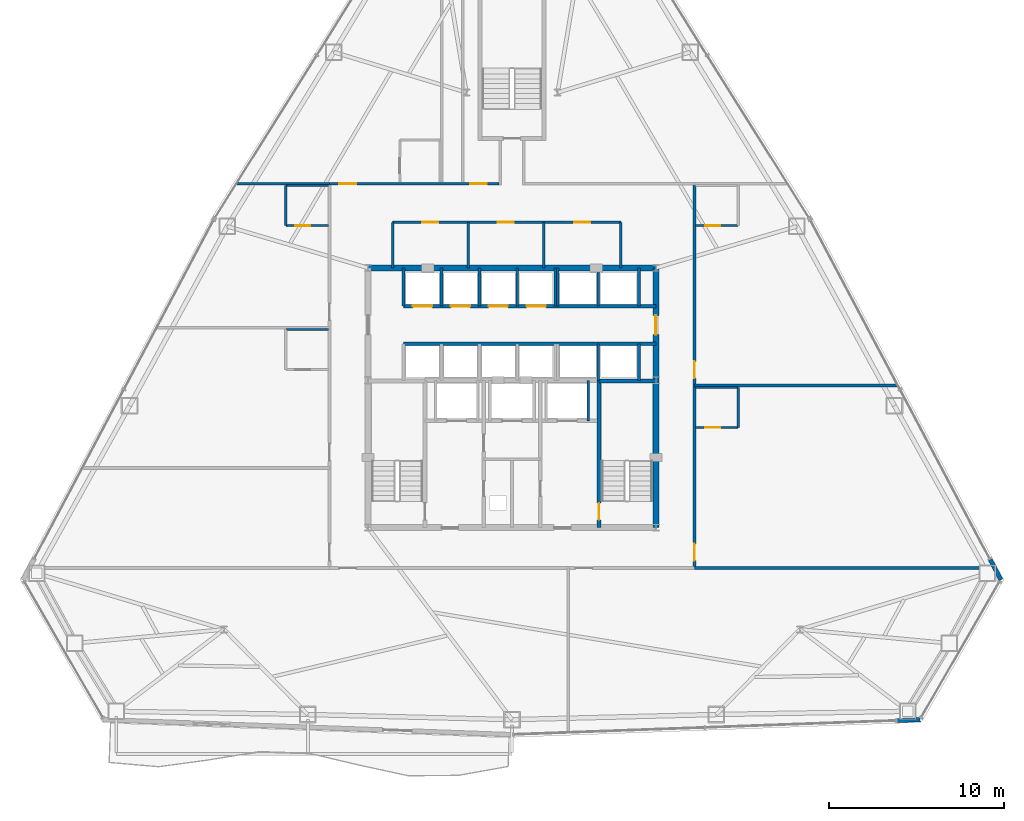
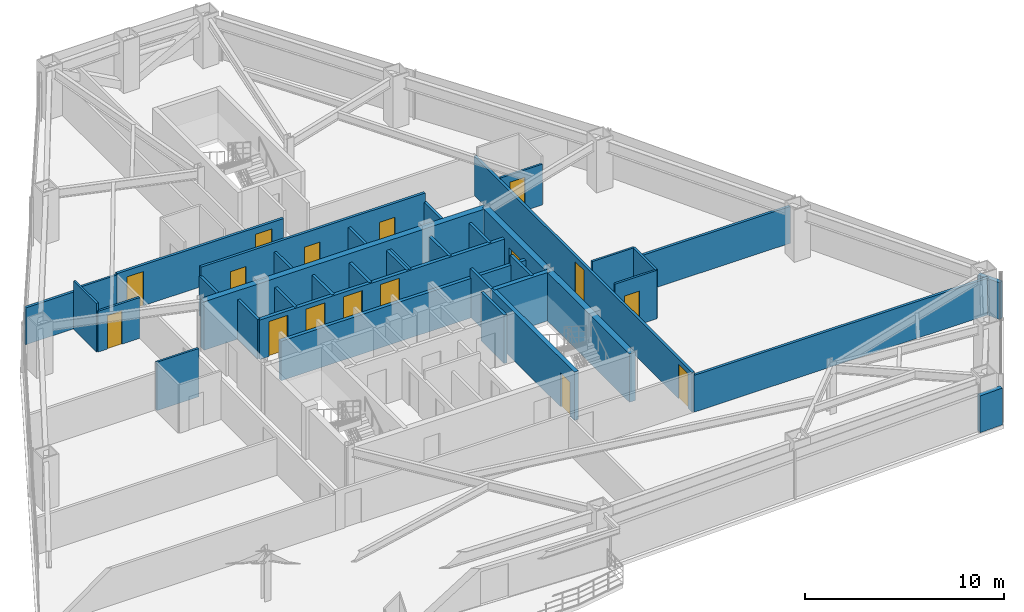
# One storey, part 10 of 13: 37 walls, 16 doors, 16 openings.
"""IFC4 building model written with IfcOpenShell, lengths in metres."""

from ifc_helpers import new_model, si_unit, direction, frame, frame_2d, origin, place, context, subcontext, project, spatial, rectangle, extrude, material, layer, layer_set, type_object, element, fill, save


model = new_model("IFC4")

# Units and contexts
model_context = context("Model", 3, precision=1e-05, world=origin(), true_north=direction((0.0, 1.0)))
body_context = subcontext(model_context, "Body", "Model", "MODEL_VIEW")
ifc_project = project(units=[si_unit("LENGTHUNIT", "METRE"), si_unit("AREAUNIT", "SQUARE_METRE"), si_unit("VOLUMEUNIT", "CUBIC_METRE"), si_unit("PLANEANGLEUNIT", "RADIAN"), si_unit("MASSUNIT", "GRAM", prefix="KILO")], contexts=[model_context])

# Site, building, storey
site_placement = place(None, origin())
site = spatial("IfcSite", under=ifc_project, at=site_placement, CompositionType="ELEMENT")
building_placement = place(site_placement, origin())
building = spatial("IfcBuilding", under=site, at=building_placement, Name="Varakhsha Concourse Tower", CompositionType="ELEMENT")
storey_placement = place(building_placement, frame((0.0, 0.0, 95.800048828125)))
storey = spatial("IfcBuildingStorey", under=building, at=storey_placement, Name="L27", CompositionType="ELEMENT", Elevation=95.800048828125)

# Wall
ifc_material_1 = material(Name="Concrete fc 65 MPa", Category="concrete")
ifc_layer_1 = layer(ifc_material_1, 0.35009765625, Name="WL-CORE-350")
ifc_layer_set_1 = layer_set([ifc_layer_1], Name="Concrete fc 65 MPa")
wall_type_1 = type_object("IfcWallType", Name="WL-CORE-350", PredefinedType="SHEAR", material=ifc_layer_set_1)
wall_1_placement = place(storey_placement, frame((31.800048828125, 31.199951171875, 0.0), z_axis=(0.0, 0.0, 1.0), x_axis=(1.0, 0.0, 0.0)))
element("IfcWall", 1, at=wall_1_placement, inside=storey, type_object=wall_type_1, Name="L27 Wall CWALL-N-L27", PredefinedType="SHEAR", context=body_context, shape_type="SweptSolid", body=[
    extrude(rectangle(XDim=16.39990234375, YDim=0.35009765625, at=frame_2d((8.199951171875, 0.0))), origin(), (0.0, 0.0, 1.0), 2.969970703125),
])

# Wall, opening, door
wall_2_placement = place(storey_placement, frame((48.199951171875, 16.39990234375, 0.0), z_axis=(0.0, 0.0, 1.0), x_axis=(0.0, 1.0, 0.0)))
wall_2 = element("IfcWall", 2, at=wall_2_placement, inside=storey, type_object=wall_type_1, Name="L27 Wall CWALL-E-L27", PredefinedType="SHEAR", context=body_context, shape_type="SweptSolid", body=[
    extrude(rectangle(XDim=14.800048828125, YDim=0.35009765625, at=frame_2d((7.39990234375, 0.0))), origin(), (0.0, 0.0, 1.0), 2.969970703125),
])
opening_1_placement = place(wall_2_placement, frame((11.0, 0.0, 0.0)))
opening_1 = element("IfcOpeningElement", 3, at=opening_1_placement, cuts=wall_2, Name="Opening DL-01", PredefinedType="OPENING", context=body_context, shape_type="SweptSolid", body=[
    extrude(rectangle(XDim=1.10009765625, YDim=2.14990234375, at=frame_2d((0.550048828125, 1.074951171875))), frame((0.0, 0.18505859375, 0.0), z_axis=(0.0, -1.0, 0.0), x_axis=(1.0, 0.0, 0.0)), (0.0, 0.0, 1.0), 0.3701171875),
])
ifc_material_2 = material(Name="Anodised Bronze Architectural Aluminium AA 6063-T6", Category="aluminium")
door_type_1 = type_object("IfcDoorType", Name="DR-LOB-1100", OperationType="NOTDEFINED", PredefinedType="DOOR", material=ifc_material_2)
door_1_placement = place(opening_1_placement, origin())
door_1 = element("IfcDoor", 4, at=door_1_placement, inside=storey, type_object=door_type_1, Name="L27 Lift Lobby East Concourse Door", OperationType="SINGLE_SWING_RIGHT", OverallHeight=2.14990234375, OverallWidth=1.10009765625, PredefinedType="DOOR", context=body_context, shape_type="SweptSolid", body=[
    extrude(rectangle(XDim=1.10009765625, YDim=2.14990234375, at=frame_2d((0.550048828125, 1.074951171875))), frame((0.0, 0.02490234375, 0.0), z_axis=(0.0, -1.0, 0.0), x_axis=(1.0, 0.0, 0.0)), (0.0, 0.0, 1.0), 0.050048828125),
])
fill(opening_1, door_1)

# Walls
ifc_material_3 = material(Name="Concrete fc 45 MPa", Category="concrete")
ifc_layer_2 = layer(ifc_material_3, 0.239990234375, Name="WL-EXT-CRN-240")
ifc_layer_set_2 = layer_set([ifc_layer_2], Name="Concrete fc 45 MPa")
wall_type_2 = type_object("IfcWallType", Name="WL-EXT-CRN-240", PredefinedType="SHEAR", material=ifc_layer_set_2)
for number, where, z_axis, x_axis, name in (
    (5, (61.948486328125, 5.40966796875, 0.0), (0.0, 0.0, 1.0), (0.999336056782, 0.03643412707, 0.0), "L27 Wind-Corner Shoulder Wall F6"),
    (6, (67.862060546875, 13.4267578125, 0.0), (0.0, 0.0, 1.0), (-0.468058524958, 0.883697469281, 0.0), "L27 Wind-Corner Shoulder Wall F8"),
):
    element("IfcWall", number, at=place(storey_placement, frame(where, z_axis=z_axis, x_axis=x_axis)), inside=storey, type_object=wall_type_2, Name=name, PredefinedType="SHEAR", context=body_context, shape_type="SweptSolid", body=[
        extrude(rectangle(XDim=1.3134765625, YDim=0.239990234375, at=frame_2d((0.65673828125, 0.0))), origin(), (0.0, 0.0, 1.0), 2.2529296875),
    ])
ifc_material_4 = material(Name="Acoustic Gypsum Board Partition Assembly", Category="gypsum")
ifc_layer_3 = layer(ifc_material_4, 0.1201171875, Name="WL-PART-120")
ifc_layer_set_3 = layer_set([ifc_layer_3], Name="Acoustic Gypsum Board Partition Assembly")
wall_type_3 = type_object("IfcWallType", Name="WL-PART-120", PredefinedType="PARTITIONING", material=ifc_layer_set_3)
wall_3_placement = place(storey_placement, frame((27.110107421875, 27.68994140625, 0.0), z_axis=(0.0, 0.0, 1.0), x_axis=(1.0, 0.0, 0.0)))
element("IfcWall", 7, at=wall_3_placement, inside=storey, type_object=wall_type_3, Name="L27 Wall ENSW-N-L27-H04", PredefinedType="PARTITIONING", context=body_context, shape_type="SweptSolid", body=[
    extrude(rectangle(XDim=2.429931640625, YDim=0.1201171875, at=frame_2d((1.21484375, 0.0))), origin(), (0.0, 0.0, 1.0), 2.969970703125),
])
wall_4_placement = place(storey_placement, frame((27.110107421875, 33.610107421875, 0.0), z_axis=(0.0, 0.0, 1.0), x_axis=(0.0, 1.0, 0.0)))
element("IfcWall", 8, at=wall_4_placement, inside=storey, type_object=wall_type_3, Name="L27 Wall ENSW-W-L27-H05", PredefinedType="PARTITIONING", context=body_context, shape_type="SweptSolid", body=[
    extrude(rectangle(XDim=2.27978515625, YDim=0.1201171875, at=frame_2d((1.139892578125, 0.0))), origin(), (0.0, 0.0, 1.0), 2.969970703125),
])

# Wall, opening, door
wall_5_placement = place(storey_placement, frame((27.110107421875, 33.610107421875, 0.0), z_axis=(0.0, 0.0, 1.0), x_axis=(1.0, 0.0, 0.0)))
wall_5 = element("IfcWall", 9, at=wall_5_placement, inside=storey, type_object=wall_type_3, Name="L27 Wall ENSW-S-L27-H05", PredefinedType="PARTITIONING", context=body_context, shape_type="SweptSolid", body=[
    extrude(rectangle(XDim=2.429931640625, YDim=0.1201171875, at=frame_2d((1.21484375, 0.0))), origin(), (0.0, 0.0, 1.0), 2.5029296875),
])
opening_2_placement = place(wall_5_placement, frame((0.550048828125, 0.0, 0.0)))
opening_2 = element("IfcOpeningElement", 10, at=opening_2_placement, cuts=wall_5, Name="Opening DI-01", PredefinedType="OPENING", context=body_context, shape_type="SweptSolid", body=[
    extrude(rectangle(XDim=0.85009765625, YDim=2.050048828125, at=frame_2d((0.425048828125, 1.02490234375))), frame((0.0, 0.070068359375, 0.0), z_axis=(0.0, -1.0, 0.0), x_axis=(1.0, 0.0, 0.0)), (0.0, 0.0, 1.0), 0.14013671875),
])
ifc_material_5 = material(Name="Architectural Walnut Acoustic Timber Door", Category="wood")
door_type_2 = type_object("IfcDoorType", Name="DR-INT-850", OperationType="NOTDEFINED", PredefinedType="DOOR", material=ifc_material_5)
door_2_placement = place(opening_2_placement, origin())
door_2 = element("IfcDoor", 11, at=door_2_placement, inside=storey, type_object=door_type_2, Name="L27 En-suite Bathroom Door L27-H05", OperationType="SINGLE_SWING_RIGHT", OverallHeight=2.050048828125, OverallWidth=0.85009765625, PredefinedType="DOOR", context=body_context, shape_type="SweptSolid", body=[
    extrude(rectangle(XDim=0.85009765625, YDim=2.050048828125, at=frame_2d((0.425048828125, 1.02490234375))), frame((0.0, 0.02490234375, 0.0), z_axis=(0.0, -1.0, 0.0), x_axis=(1.0, 0.0, 0.0)), (0.0, 0.0, 1.0), 0.050048828125),
])
fill(opening_2, door_2)

# Walls
wall_6_placement = place(storey_placement, frame((27.110107421875, 35.889892578125, 0.0), z_axis=(0.0, 0.0, 1.0), x_axis=(1.0, 0.0, 0.0)))
element("IfcWall", 12, at=wall_6_placement, inside=storey, type_object=wall_type_3, Name="L27 Wall ENSW-N-L27-H05", PredefinedType="PARTITIONING", context=body_context, shape_type="SweptSolid", body=[
    extrude(rectangle(XDim=2.429931640625, YDim=0.1201171875, at=frame_2d((1.21484375, 0.0))), origin(), (0.0, 0.0, 1.0), 2.5029296875),
])
wall_7_placement = place(storey_placement, frame((52.889892578125, 22.110107421875, 0.0), z_axis=(0.0, 0.0, 1.0), x_axis=(0.0, 1.0, 0.0)))
element("IfcWall", 13, at=wall_7_placement, inside=storey, type_object=wall_type_3, Name="L27 Wall ENSW-E-L27-H06", PredefinedType="PARTITIONING", context=body_context, shape_type="SweptSolid", body=[
    extrude(rectangle(XDim=2.27978515625, YDim=0.1201171875, at=frame_2d((1.139892578125, 0.0))), origin(), (0.0, 0.0, 1.0), 2.969970703125),
])

# Wall, opening, door
wall_8_placement = place(storey_placement, frame((50.4599609375, 22.110107421875, 0.0), z_axis=(0.0, 0.0, 1.0), x_axis=(1.0, 0.0, 0.0)))
wall_8 = element("IfcWall", 14, at=wall_8_placement, inside=storey, type_object=wall_type_3, Name="L27 Wall ENSW-S-L27-H06", PredefinedType="PARTITIONING", context=body_context, shape_type="SweptSolid", body=[
    extrude(rectangle(XDim=2.429931640625, YDim=0.1201171875, at=frame_2d((1.21484375, 0.0))), origin(), (0.0, 0.0, 1.0), 2.969970703125),
])
opening_3_placement = place(wall_8_placement, frame((0.550048828125, 0.0, 0.0)))
opening_3 = element("IfcOpeningElement", 15, at=opening_3_placement, cuts=wall_8, Name="Opening DI-01", PredefinedType="OPENING", context=body_context, shape_type="SweptSolid", body=[
    extrude(rectangle(XDim=0.85009765625, YDim=2.050048828125, at=frame_2d((0.425048828125, 1.02490234375))), frame((0.0, 0.070068359375, 0.0), z_axis=(0.0, -1.0, 0.0), x_axis=(1.0, 0.0, 0.0)), (0.0, 0.0, 1.0), 0.14013671875),
])
door_3_placement = place(opening_3_placement, origin())
door_3 = element("IfcDoor", 16, at=door_3_placement, inside=storey, type_object=door_type_2, Name="L27 En-suite Bathroom Door L27-H06", OperationType="SINGLE_SWING_RIGHT", OverallHeight=2.050048828125, OverallWidth=0.85009765625, PredefinedType="DOOR", context=body_context, shape_type="SweptSolid", body=[
    extrude(rectangle(XDim=0.85009765625, YDim=2.050048828125, at=frame_2d((0.425048828125, 1.02490234375))), frame((0.0, 0.02490234375, 0.0), z_axis=(0.0, -1.0, 0.0), x_axis=(1.0, 0.0, 0.0)), (0.0, 0.0, 1.0), 0.050048828125),
])
fill(opening_3, door_3)

# Wall
wall_9_placement = place(storey_placement, frame((50.4599609375, 24.389892578125, 0.0), z_axis=(0.0, 0.0, 1.0), x_axis=(1.0, 0.0, 0.0)))
element("IfcWall", 17, at=wall_9_placement, inside=storey, type_object=wall_type_3, Name="L27 Wall ENSW-N-L27-H06", PredefinedType="PARTITIONING", context=body_context, shape_type="SweptSolid", body=[
    extrude(rectangle(XDim=2.429931640625, YDim=0.1201171875, at=frame_2d((1.21484375, 0.0))), origin(), (0.0, 0.0, 1.0), 2.969970703125),
])

# Wall, opening, door
wall_10_placement = place(storey_placement, frame((50.4599609375, 33.610107421875, 0.0), z_axis=(0.0, 0.0, 1.0), x_axis=(1.0, 0.0, 0.0)))
wall_10 = element("IfcWall", 18, at=wall_10_placement, inside=storey, type_object=wall_type_3, Name="L27 Wall ENSW-S-L27-H07", PredefinedType="PARTITIONING", context=body_context, shape_type="SweptSolid", body=[
    extrude(rectangle(XDim=2.429931640625, YDim=0.1201171875, at=frame_2d((1.21484375, 0.0))), origin(), (0.0, 0.0, 1.0), 2.5029296875),
])
opening_4_placement = place(wall_10_placement, frame((0.550048828125, 0.0, 0.0)))
opening_4 = element("IfcOpeningElement", 19, at=opening_4_placement, cuts=wall_10, Name="Opening DI-01", PredefinedType="OPENING", context=body_context, shape_type="SweptSolid", body=[
    extrude(rectangle(XDim=0.85009765625, YDim=2.050048828125, at=frame_2d((0.425048828125, 1.02490234375))), frame((0.0, 0.070068359375, 0.0), z_axis=(0.0, -1.0, 0.0), x_axis=(1.0, 0.0, 0.0)), (0.0, 0.0, 1.0), 0.14013671875),
])
door_4_placement = place(opening_4_placement, origin())
door_4 = element("IfcDoor", 20, at=door_4_placement, inside=storey, type_object=door_type_2, Name="L27 En-suite Bathroom Door L27-H07", OperationType="SINGLE_SWING_RIGHT", OverallHeight=2.050048828125, OverallWidth=0.85009765625, PredefinedType="DOOR", context=body_context, shape_type="SweptSolid", body=[
    extrude(rectangle(XDim=0.85009765625, YDim=2.050048828125, at=frame_2d((0.425048828125, 1.02490234375))), frame((0.0, 0.02490234375, 0.0), z_axis=(0.0, -1.0, 0.0), x_axis=(1.0, 0.0, 0.0)), (0.0, 0.0, 1.0), 0.050048828125),
])
fill(opening_4, door_4)

# Wall, openings, doors
ifc_material_6 = material(Name="Fire-Rated Type X Gypsum Partition Assembly", Category="gypsum")
ifc_layer_4 = layer(ifc_material_6, 0.14990234375, Name="WL-PART-150")
ifc_layer_set_4 = layer_set([ifc_layer_4], Name="Fire-Rated Type X Gypsum Partition Assembly")
wall_type_4 = type_object("IfcWallType", Name="WL-PART-150", PredefinedType="PARTITIONING", material=ifc_layer_set_4)
wall_11_placement = place(storey_placement, frame((33.199951171875, 33.800048828125, 0.0), z_axis=(0.0, 0.0, 1.0), x_axis=(1.0, 0.0, 0.0)))
wall_11 = element("IfcWall", 21, at=wall_11_placement, inside=storey, type_object=wall_type_4, Name="L27 Wall NBOH-N-L27", PredefinedType="PARTITIONING", context=body_context, shape_type="SweptSolid", body=[
    extrude(rectangle(XDim=13.0, YDim=0.14990234375, at=frame_2d((6.5, 0.0))), origin(), (0.0, 0.0, 1.0), 2.969970703125),
])
opening_5_placement = place(wall_11_placement, frame((1.699951171875, 0.0, 0.0)))
opening_5 = element("IfcOpeningElement", 22, at=opening_5_placement, cuts=wall_11, Name="Opening DF-06", PredefinedType="OPENING", context=body_context, shape_type="SweptSolid", body=[
    extrude(rectangle(XDim=0.89990234375, YDim=2.10009765625, at=frame_2d((0.449951171875, 1.050048828125))), frame((0.0, 0.0849609375, 0.0), z_axis=(0.0, -1.0, 0.0), x_axis=(1.0, 0.0, 0.0)), (0.0, 0.0, 1.0), 0.169921875),
])
opening_6_placement = place(wall_11_placement, frame((6.0, 0.0, 0.0)))
opening_6 = element("IfcOpeningElement", 23, at=opening_6_placement, cuts=wall_11, Name="Opening DF-06", PredefinedType="OPENING", context=body_context, shape_type="SweptSolid", body=[
    extrude(rectangle(XDim=0.89990234375, YDim=2.10009765625, at=frame_2d((0.449951171875, 1.050048828125))), frame((0.0, 0.0849609375, 0.0), z_axis=(0.0, -1.0, 0.0), x_axis=(1.0, 0.0, 0.0)), (0.0, 0.0, 1.0), 0.169921875),
])
opening_7_placement = place(wall_11_placement, frame((10.35009765625, 0.0, 0.0)))
opening_7 = element("IfcOpeningElement", 24, at=opening_7_placement, cuts=wall_11, Name="Opening DF-06", PredefinedType="OPENING", context=body_context, shape_type="SweptSolid", body=[
    extrude(rectangle(XDim=0.89990234375, YDim=2.10009765625, at=frame_2d((0.449951171875, 1.050048828125))), frame((0.0, 0.0849609375, 0.0), z_axis=(0.0, -1.0, 0.0), x_axis=(1.0, 0.0, 0.0)), (0.0, 0.0, 1.0), 0.169921875),
])
ifc_material_7 = material(Name="Hollow Galvanised Steel Fire Door Assembly", Category="steel")
door_type_3 = type_object("IfcDoorType", Name="DR-FD60-900", OperationType="NOTDEFINED", PredefinedType="DOOR", material=ifc_material_7)
door_5_placement = place(opening_5_placement, origin())
door_5 = element("IfcDoor", 25, at=door_5_placement, inside=storey, type_object=door_type_3, Name="L27 Housekeeping and Linen Room Door", OperationType="SINGLE_SWING_LEFT", OverallHeight=2.10009765625, OverallWidth=0.89990234375, PredefinedType="DOOR", context=body_context, shape_type="SweptSolid", body=[
    extrude(rectangle(XDim=0.89990234375, YDim=2.10009765625, at=frame_2d((0.449951171875, 1.050048828125))), frame((0.0, 0.02490234375, 0.0), z_axis=(0.0, -1.0, 0.0), x_axis=(1.0, 0.0, 0.0)), (0.0, 0.0, 1.0), 0.050048828125),
])
fill(opening_5, door_5)
door_6_placement = place(opening_6_placement, origin())
door_6 = element("IfcDoor", 26, at=door_6_placement, inside=storey, type_object=door_type_3, Name="L27 Accessible WC Door", OperationType="SINGLE_SWING_RIGHT", OverallHeight=2.10009765625, OverallWidth=0.89990234375, PredefinedType="DOOR", context=body_context, shape_type="SweptSolid", body=[
    extrude(rectangle(XDim=0.89990234375, YDim=2.10009765625, at=frame_2d((0.449951171875, 1.050048828125))), frame((0.0, 0.02490234375, 0.0), z_axis=(0.0, -1.0, 0.0), x_axis=(1.0, 0.0, 0.0)), (0.0, 0.0, 1.0), 0.050048828125),
])
fill(opening_6, door_6)
door_7_placement = place(opening_7_placement, origin())
door_7 = element("IfcDoor", 27, at=door_7_placement, inside=storey, type_object=door_type_3, Name="L27 Staff Restroom WC Door", OperationType="SINGLE_SWING_LEFT", OverallHeight=2.10009765625, OverallWidth=0.89990234375, PredefinedType="DOOR", context=body_context, shape_type="SweptSolid", body=[
    extrude(rectangle(XDim=0.89990234375, YDim=2.10009765625, at=frame_2d((0.449951171875, 1.050048828125))), frame((0.0, 0.02490234375, 0.0), z_axis=(0.0, -1.0, 0.0), x_axis=(1.0, 0.0, 0.0)), (0.0, 0.0, 1.0), 0.050048828125),
])
fill(opening_7, door_7)

# Walls
for number, where, z_axis, x_axis, name in (
    (28, (33.199951171875, 31.199951171875, 0.0), (0.0, 0.0, 1.0), (0.0, 1.0, 0.0), "L27 Wall NBOH-W-L27"),
    (29, (46.199951171875, 31.199951171875, 0.0), (0.0, 0.0, 1.0), (0.0, 1.0, 0.0), "L27 Wall NBOH-E-L27"),
    (30, (37.5, 31.199951171875, 0.0), (0.0, 0.0, 1.0), (0.0, 1.0, 0.0), "L27 Wall NBOH-D1-L27"),
    (31, (41.800048828125, 31.199951171875, 0.0), (0.0, 0.0, 1.0), (0.0, 1.0, 0.0), "L27 Wall NBOH-D2-L27"),
):
    element("IfcWall", number, at=place(storey_placement, frame(where, z_axis=z_axis, x_axis=x_axis)), inside=storey, type_object=wall_type_4, Name=name, PredefinedType="PARTITIONING", context=body_context, shape_type="SweptSolid", body=[
        extrude(rectangle(XDim=2.60009765625, YDim=0.14990234375, at=frame_2d((1.300048828125, 0.0))), origin(), (0.0, 0.0, 1.0), 2.4208984375),
    ])

# Wall, openings, doors
wall_12_placement = place(storey_placement, frame((29.60009765625, 36.0, 0.0), z_axis=(0.0, 0.0, 1.0), x_axis=(1.0, 0.0, 0.0)))
wall_12 = element("IfcWall", 32, at=wall_12_placement, inside=storey, type_object=wall_type_4, Name="L27 Wall CRW-N-L27", PredefinedType="PARTITIONING", context=body_context, shape_type="SweptSolid", body=[
    extrude(rectangle(XDim=9.64990234375, YDim=0.14990234375, at=frame_2d((4.824951171875, 0.0))), origin(), (0.0, 0.0, 1.0), 2.5029296875),
])
opening_8_placement = place(wall_12_placement, frame((0.570068359375, 0.0, 0.0)))
opening_8 = element("IfcOpeningElement", 33, at=opening_8_placement, cuts=wall_12, Name="Opening DF-05", PredefinedType="OPENING", context=body_context, shape_type="SweptSolid", body=[
    extrude(rectangle(XDim=0.949951171875, YDim=2.10009765625, at=frame_2d((0.47509765625, 1.050048828125))), frame((0.0, 0.0849609375, 0.0), z_axis=(0.0, -1.0, 0.0), x_axis=(1.0, 0.0, 0.0)), (0.0, 0.0, 1.0), 0.169921875),
])
opening_9_placement = place(wall_12_placement, frame((8.02001953125, 0.0, 0.0)))
opening_9 = element("IfcOpeningElement", 34, at=opening_9_placement, cuts=wall_12, Name="Opening DF-05", PredefinedType="OPENING", context=body_context, shape_type="SweptSolid", body=[
    extrude(rectangle(XDim=0.949951171875, YDim=2.10009765625, at=frame_2d((0.47509765625, 1.050048828125))), frame((0.0, 0.0849609375, 0.0), z_axis=(0.0, -1.0, 0.0), x_axis=(1.0, 0.0, 0.0)), (0.0, 0.0, 1.0), 0.169921875),
])
door_type_4 = type_object("IfcDoorType", Name="DR-FD60-950", OperationType="NOTDEFINED", PredefinedType="DOOR", material=ifc_material_7)
door_8_placement = place(opening_8_placement, origin())
door_8 = element("IfcDoor", 35, at=door_8_placement, inside=storey, type_object=door_type_4, Name="L27 Hotel Corner Suite L27-H08 Entry Door", OperationType="SINGLE_SWING_RIGHT", OverallHeight=2.10009765625, OverallWidth=0.949951171875, PredefinedType="DOOR", context=body_context, shape_type="SweptSolid", body=[
    extrude(rectangle(XDim=0.949951171875, YDim=2.10009765625, at=frame_2d((0.47509765625, 1.050048828125))), frame((0.0, 0.02490234375, 0.0), z_axis=(0.0, -1.0, 0.0), x_axis=(1.0, 0.0, 0.0)), (0.0, 0.0, 1.0), 0.050048828125),
])
fill(opening_8, door_8)
door_9_placement = place(opening_9_placement, origin())
door_9 = element("IfcDoor", 36, at=door_9_placement, inside=storey, type_object=door_type_4, Name="L27 Hospitality Conservatory Lounge L27-H09 Door", OperationType="SINGLE_SWING_LEFT", OverallHeight=2.10009765625, OverallWidth=0.949951171875, PredefinedType="DOOR", context=body_context, shape_type="SweptSolid", body=[
    extrude(rectangle(XDim=0.949951171875, YDim=2.10009765625, at=frame_2d((0.47509765625, 1.050048828125))), frame((0.0, 0.02490234375, 0.0), z_axis=(0.0, -1.0, 0.0), x_axis=(1.0, 0.0, 0.0)), (0.0, 0.0, 1.0), 0.050048828125),
])
fill(opening_9, door_9)

wall_13_placement = place(storey_placement, frame((50.39990234375, 14.10009765625, 0.0), z_axis=(0.0, 0.0, 1.0), x_axis=(0.0, 1.0, 0.0)))
wall_13 = element("IfcWall", 37, at=wall_13_placement, inside=storey, type_object=wall_type_4, Name="L27 Wall CRW-E-L27", PredefinedType="PARTITIONING", context=body_context, shape_type="SweptSolid", body=[
    extrude(rectangle(XDim=21.89990234375, YDim=0.14990234375, at=frame_2d((10.949951171875, 0.0))), origin(), (0.0, 0.0, 1.0), 2.4208984375),
])
opening_10_placement = place(wall_13_placement, frame((0.419921875, 0.0, 0.0)))
opening_10 = element("IfcOpeningElement", 38, at=opening_10_placement, cuts=wall_13, Name="Opening DF-05", PredefinedType="OPENING", context=body_context, shape_type="SweptSolid", body=[
    extrude(rectangle(XDim=0.949951171875, YDim=2.10009765625, at=frame_2d((0.47509765625, 1.050048828125))), frame((0.0, 0.0849609375, 0.0), z_axis=(0.0, -1.0, 0.0), x_axis=(1.0, 0.0, 0.0)), (0.0, 0.0, 1.0), 0.169921875),
])
opening_11_placement = place(wall_13_placement, frame((10.820068359375, 0.0, 0.0)))
opening_11 = element("IfcOpeningElement", 39, at=opening_11_placement, cuts=wall_13, Name="Opening DF-05", PredefinedType="OPENING", context=body_context, shape_type="SweptSolid", body=[
    extrude(rectangle(XDim=0.949951171875, YDim=2.10009765625, at=frame_2d((0.47509765625, 1.050048828125))), frame((0.0, 0.0849609375, 0.0), z_axis=(0.0, -1.0, 0.0), x_axis=(1.0, 0.0, 0.0)), (0.0, 0.0, 1.0), 0.169921875),
])
door_10_placement = place(opening_10_placement, origin())
door_10 = element("IfcDoor", 40, at=door_10_placement, inside=storey, type_object=door_type_4, Name="L27 Hotel Corner Suite L27-H06 Entry Door", OperationType="SINGLE_SWING_RIGHT", OverallHeight=2.10009765625, OverallWidth=0.949951171875, PredefinedType="DOOR", context=body_context, shape_type="SweptSolid", body=[
    extrude(rectangle(XDim=0.949951171875, YDim=2.10009765625, at=frame_2d((0.47509765625, 1.050048828125))), frame((0.0, 0.02490234375, 0.0), z_axis=(0.0, -1.0, 0.0), x_axis=(1.0, 0.0, 0.0)), (0.0, 0.0, 1.0), 0.050048828125),
])
fill(opening_10, door_10)
door_11_placement = place(opening_11_placement, origin())
door_11 = element("IfcDoor", 41, at=door_11_placement, inside=storey, type_object=door_type_4, Name="L27 Hotel Corner Suite L27-H07 Entry Door", OperationType="SINGLE_SWING_LEFT", OverallHeight=2.10009765625, OverallWidth=0.949951171875, PredefinedType="DOOR", context=body_context, shape_type="SweptSolid", body=[
    extrude(rectangle(XDim=0.949951171875, YDim=2.10009765625, at=frame_2d((0.47509765625, 1.050048828125))), frame((0.0, 0.02490234375, 0.0), z_axis=(0.0, -1.0, 0.0), x_axis=(1.0, 0.0, 0.0)), (0.0, 0.0, 1.0), 0.050048828125),
])
fill(opening_11, door_11)

# Walls
wall_14_placement = place(storey_placement, frame((24.297119140625, 36.0, 0.0), z_axis=(0.0, 0.0, 1.0), x_axis=(1.0, 0.0, 0.0)))
element("IfcWall", 42, at=wall_14_placement, inside=storey, type_object=wall_type_4, Name="L27 Wall HDIV-WBN-L27", PredefinedType="PARTITIONING", context=body_context, shape_type="SweptSolid", body=[
    extrude(rectangle(XDim=5.302978515625, YDim=0.14990234375, at=frame_2d((2.6513671875, 0.0))), origin(), (0.0, 0.0, 1.0), 2.258056640625),
])
wall_15_placement = place(storey_placement, frame((50.39990234375, 14.10009765625, 0.0), z_axis=(0.0, 0.0, 1.0), x_axis=(1.0, 0.0, 0.0)))
element("IfcWall", 43, at=wall_15_placement, inside=storey, type_object=wall_type_4, Name="L27 Wall HDIV-EB0-L27", PredefinedType="PARTITIONING", context=body_context, shape_type="SweptSolid", body=[
    extrude(rectangle(XDim=17.099853515625, YDim=0.14990234375, at=frame_2d((8.5498046875, 0.0))), origin(), (0.0, 0.0, 1.0), 2.258056640625),
])
wall_16_placement = place(storey_placement, frame((50.39990234375, 24.5, 0.0), z_axis=(0.0, 0.0, 1.0), x_axis=(1.0, 0.0, 0.0)))
element("IfcWall", 44, at=wall_16_placement, inside=storey, type_object=wall_type_4, Name="L27 Wall HDIV-E1-L27", PredefinedType="PARTITIONING", context=body_context, shape_type="SweptSolid", body=[
    extrude(rectangle(XDim=11.59033203125, YDim=0.14990234375, at=frame_2d((5.795166015625, 0.0))), origin(), (0.0, 0.0, 1.0), 2.258056640625),
])
ifc_layer_5 = layer(ifc_material_6, 0.199951171875, Name="WL-SHAFT-220")
ifc_layer_set_5 = layer_set([ifc_layer_5], Name="Fire-Rated Type X Gypsum Partition Assembly")
wall_type_5 = type_object("IfcWallType", Name="WL-SHAFT-220", PredefinedType="SOLIDWALL", material=ifc_layer_set_5)
wall_17_placement = place(storey_placement, frame((44.35009765625, 22.47998046875, 0.0), z_axis=(0.0, 0.0, 1.0), x_axis=(0.0, 1.0, 0.0)))
element("IfcWall", 45, at=wall_17_placement, inside=storey, type_object=wall_type_5, Name="L27 Wall SHW-FFL-2-E-L27", PredefinedType="SOLIDWALL", context=body_context, shape_type="SweptSolid", body=[
    extrude(rectangle(XDim=2.320068359375, YDim=0.159912109375, at=frame_2d((1.16015625, 0.0))), origin(), (0.0, 0.0, 1.0), 2.969970703125),
])

# Wall, openings, doors
wall_18_placement = place(storey_placement, frame((33.820068359375, 29.02001953125, 0.0), z_axis=(0.0, 0.0, 1.0), x_axis=(1.0, 0.0, 0.0)))
wall_18 = element("IfcWall", 46, at=wall_18_placement, inside=storey, type_object=wall_type_5, Name="L27 Wall PLW-N-L27", PredefinedType="SOLIDWALL", context=body_context, shape_type="SweptSolid", body=[
    extrude(rectangle(XDim=14.3798828125, YDim=0.199951171875, at=frame_2d((7.18994140625, 0.0))), origin(), (0.0, 0.0, 1.0), 2.4208984375),
])
opening_12_placement = place(wall_18_placement, frame((0.530029296875, 0.0, 0.0)))
opening_12 = element("IfcOpeningElement", 47, at=opening_12_placement, cuts=wall_18, Name="Opening LD-LF-P01", PredefinedType="OPENING", context=body_context, shape_type="SweptSolid", body=[
    extrude(rectangle(XDim=1.10009765625, YDim=2.14990234375, at=frame_2d((0.550048828125, 1.074951171875))), frame((0.0, 0.10986328125, 0.0), z_axis=(0.0, -1.0, 0.0), x_axis=(1.0, 0.0, 0.0)), (0.0, 0.0, 1.0), 0.219970703125),
])
opening_13_placement = place(wall_18_placement, frame((2.68994140625, 0.0, 0.0)))
opening_13 = element("IfcOpeningElement", 48, at=opening_13_placement, cuts=wall_18, Name="Opening LD-LF-P02", PredefinedType="OPENING", context=body_context, shape_type="SweptSolid", body=[
    extrude(rectangle(XDim=1.10009765625, YDim=2.14990234375, at=frame_2d((0.550048828125, 1.074951171875))), frame((0.0, 0.10986328125, 0.0), z_axis=(0.0, -1.0, 0.0), x_axis=(1.0, 0.0, 0.0)), (0.0, 0.0, 1.0), 0.219970703125),
])
opening_14_placement = place(wall_18_placement, frame((4.85009765625, 0.0, 0.0)))
opening_14 = element("IfcOpeningElement", 49, at=opening_14_placement, cuts=wall_18, Name="Opening LD-LF-P03", PredefinedType="OPENING", context=body_context, shape_type="SweptSolid", body=[
    extrude(rectangle(XDim=1.10009765625, YDim=2.14990234375, at=frame_2d((0.550048828125, 1.074951171875))), frame((0.0, 0.10986328125, 0.0), z_axis=(0.0, -1.0, 0.0), x_axis=(1.0, 0.0, 0.0)), (0.0, 0.0, 1.0), 0.219970703125),
])
opening_15_placement = place(wall_18_placement, frame((7.010009765625, 0.0, 0.0)))
opening_15 = element("IfcOpeningElement", 50, at=opening_15_placement, cuts=wall_18, Name="Opening LD-LF-P04", PredefinedType="OPENING", context=body_context, shape_type="SweptSolid", body=[
    extrude(rectangle(XDim=1.10009765625, YDim=2.14990234375, at=frame_2d((0.550048828125, 1.074951171875))), frame((0.0, 0.10986328125, 0.0), z_axis=(0.0, -1.0, 0.0), x_axis=(1.0, 0.0, 0.0)), (0.0, 0.0, 1.0), 0.219970703125),
])
ifc_material_8 = material(Name="Brushed Austenitic Stainless Steel AISI 316", Category="steel")
door_type_5 = type_object("IfcDoorType", Name="DR-LD-1100", OperationType="DOUBLE_DOOR_SLIDING", PredefinedType="DOOR", material=ifc_material_8)
door_12_placement = place(opening_12_placement, origin())
door_12 = element("IfcDoor", 51, at=door_12_placement, inside=storey, type_object=door_type_5, Name="Lift Landing Door LF-P01 L27", OperationType="DOUBLE_DOOR_SLIDING", OverallHeight=2.14990234375, OverallWidth=1.10009765625, PredefinedType="DOOR", context=body_context, shape_type="SweptSolid", body=[
    extrude(rectangle(XDim=1.10009765625, YDim=2.14990234375, at=frame_2d((0.550048828125, 1.074951171875))), frame((0.0, 0.02490234375, 0.0), z_axis=(0.0, -1.0, 0.0), x_axis=(1.0, 0.0, 0.0)), (0.0, 0.0, 1.0), 0.050048828125),
])
fill(opening_12, door_12)
door_13_placement = place(opening_13_placement, origin())
door_13 = element("IfcDoor", 52, at=door_13_placement, inside=storey, type_object=door_type_5, Name="Lift Landing Door LF-P02 L27", OperationType="DOUBLE_DOOR_SLIDING", OverallHeight=2.14990234375, OverallWidth=1.10009765625, PredefinedType="DOOR", context=body_context, shape_type="SweptSolid", body=[
    extrude(rectangle(XDim=1.10009765625, YDim=2.14990234375, at=frame_2d((0.550048828125, 1.074951171875))), frame((0.0, 0.02490234375, 0.0), z_axis=(0.0, -1.0, 0.0), x_axis=(1.0, 0.0, 0.0)), (0.0, 0.0, 1.0), 0.050048828125),
])
fill(opening_13, door_13)
door_14_placement = place(opening_14_placement, origin())
door_14 = element("IfcDoor", 53, at=door_14_placement, inside=storey, type_object=door_type_5, Name="Lift Landing Door LF-P03 L27", OperationType="DOUBLE_DOOR_SLIDING", OverallHeight=2.14990234375, OverallWidth=1.10009765625, PredefinedType="DOOR", context=body_context, shape_type="SweptSolid", body=[
    extrude(rectangle(XDim=1.10009765625, YDim=2.14990234375, at=frame_2d((0.550048828125, 1.074951171875))), frame((0.0, 0.02490234375, 0.0), z_axis=(0.0, -1.0, 0.0), x_axis=(1.0, 0.0, 0.0)), (0.0, 0.0, 1.0), 0.050048828125),
])
fill(opening_14, door_14)
door_15_placement = place(opening_15_placement, origin())
door_15 = element("IfcDoor", 54, at=door_15_placement, inside=storey, type_object=door_type_5, Name="Lift Landing Door LF-P04 L27", OperationType="DOUBLE_DOOR_SLIDING", OverallHeight=2.14990234375, OverallWidth=1.10009765625, PredefinedType="DOOR", context=body_context, shape_type="SweptSolid", body=[
    extrude(rectangle(XDim=1.10009765625, YDim=2.14990234375, at=frame_2d((0.550048828125, 1.074951171875))), frame((0.0, 0.02490234375, 0.0), z_axis=(0.0, -1.0, 0.0), x_axis=(1.0, 0.0, 0.0)), (0.0, 0.0, 1.0), 0.050048828125),
])
fill(opening_15, door_15)

# Walls
wall_19_placement = place(storey_placement, frame((33.820068359375, 26.8798828125, 0.0), z_axis=(0.0, 0.0, 1.0), x_axis=(1.0, 0.0, 0.0)))
element("IfcWall", 55, at=wall_19_placement, inside=storey, type_object=wall_type_5, Name="L27 Wall PLW-S-L27", PredefinedType="SOLIDWALL", context=body_context, shape_type="SweptSolid", body=[
    extrude(rectangle(XDim=14.3798828125, YDim=0.199951171875, at=frame_2d((7.18994140625, 0.0))), origin(), (0.0, 0.0, 1.0), 2.4208984375),
])
for number, where, z_axis, x_axis, name in (
    (56, (33.820068359375, 29.02001953125, 0.0), (0.0, 0.0, 1.0), (0.0, 1.0, 0.0), "L27 Wall WBOH-E1-L27"),
    (57, (35.97998046875, 29.02001953125, 0.0), (0.0, 0.0, 1.0), (0.0, 1.0, 0.0), "L27 Wall SHW-LF-P01-E-L27"),
    (58, (38.139892578125, 29.02001953125, 0.0), (0.0, 0.0, 1.0), (0.0, 1.0, 0.0), "L27 Wall SHW-LF-P02-E-L27"),
    (59, (40.300048828125, 29.02001953125, 0.0), (0.0, 0.0, 1.0), (0.0, 1.0, 0.0), "L27 Wall SHW-LF-P03-E-L27"),
    (60, (42.4599609375, 29.02001953125, 0.0), (0.0, 0.0, 1.0), (0.0, 1.0, 0.0), "L27 Wall SHW-LF-P04-E-L27"),
    (61, (42.60009765625, 29.02001953125, 0.0), (0.0, 0.0, 1.0), (0.0, 1.0, 0.0), "L27 Wall SHW-LF-P09-W-L27"),
    (62, (44.919921875, 29.02001953125, 0.0), (0.0, 0.0, 1.0), (0.0, 1.0, 0.0), "L27 Wall SHW-LF-P09-E-L27"),
    (63, (47.239990234375, 29.02001953125, 0.0), (0.0, 0.0, 1.0), (0.0, 1.0, 0.0), "L27 Wall SHW-LF-P10-E-L27"),
):
    element("IfcWall", number, at=place(storey_placement, frame(where, z_axis=z_axis, x_axis=x_axis)), inside=storey, type_object=wall_type_5, Name=name, PredefinedType="SOLIDWALL", context=body_context, shape_type="SweptSolid", body=[
        extrude(rectangle(XDim=2.179931640625, YDim=0.159912109375, at=frame_2d((1.08984375, 0.0))), origin(), (0.0, 0.0, 1.0), 2.4208984375),
    ])
for number, where, z_axis, x_axis, name in (
    (64, (44.919921875, 24.800048828125, 0.0), (0.0, 0.0, 1.0), (0.0, 1.0, 0.0), "L27 Wall SHW-LF-P11-E-L27"),
    (65, (47.239990234375, 24.800048828125, 0.0), (0.0, 0.0, 1.0), (0.0, 1.0, 0.0), "L27 Wall SHW-LF-P12-E-L27"),
):
    element("IfcWall", number, at=place(storey_placement, frame(where, z_axis=z_axis, x_axis=x_axis)), inside=storey, type_object=wall_type_5, Name=name, PredefinedType="SOLIDWALL", context=body_context, shape_type="SweptSolid", body=[
        extrude(rectangle(XDim=2.079833984375, YDim=0.159912109375, at=frame_2d((1.0400390625, 0.0))), origin(), (0.0, 0.0, 1.0), 2.969970703125),
    ])

# Wall, opening, door
ifc_layer_6 = layer(ifc_material_3, 0.25, Name="WL-STAIR-250")
ifc_layer_set_6 = layer_set([ifc_layer_6], Name="Concrete fc 45 MPa")
wall_type_6 = type_object("IfcWallType", Name="WL-STAIR-250", PredefinedType="SHEAR", material=ifc_layer_set_6)
wall_20_placement = place(storey_placement, frame((44.955078125, 16.39990234375, 0.0), z_axis=(0.0, 0.0, 1.0), x_axis=(0.0, 1.0, 0.0)))
wall_20 = element("IfcWall", 66, at=wall_20_placement, inside=storey, type_object=wall_type_6, Name="L27 Wall SWALL-ST2-W-L27", PredefinedType="SHEAR", context=body_context, shape_type="SweptSolid", body=[
    extrude(rectangle(XDim=8.400146484375, YDim=0.25, at=frame_2d((4.2001953125, 0.0))), origin(), (0.0, 0.0, 1.0), 2.969970703125),
])
opening_16_placement = place(wall_20_placement, frame((0.449951171875, 0.0, 0.0)))
opening_16 = element("IfcOpeningElement", 67, at=opening_16_placement, cuts=wall_20, Name="Opening DF-03", PredefinedType="OPENING", context=body_context, shape_type="SweptSolid", body=[
    extrude(rectangle(XDim=0.949951171875, YDim=2.10009765625, at=frame_2d((0.47509765625, 1.050048828125))), frame((0.0, 0.135009765625, 0.0), z_axis=(0.0, -1.0, 0.0), x_axis=(1.0, 0.0, 0.0)), (0.0, 0.0, 1.0), 0.27001953125),
])
door_type_6 = type_object("IfcDoorType", Name="DR-FD90-950", OperationType="NOTDEFINED", PredefinedType="DOOR", material=ifc_material_7)
door_16_placement = place(opening_16_placement, origin())
door_16 = element("IfcDoor", 68, at=door_16_placement, inside=storey, type_object=door_type_6, Name="L27 Stair ST2 Fire Door", OperationType="SINGLE_SWING_RIGHT", OverallHeight=2.10009765625, OverallWidth=0.949951171875, PredefinedType="DOOR", context=body_context, shape_type="SweptSolid", body=[
    extrude(rectangle(XDim=0.949951171875, YDim=2.10009765625, at=frame_2d((0.47509765625, 1.050048828125))), frame((0.0, 0.02490234375, 0.0), z_axis=(0.0, -1.0, 0.0), x_axis=(1.0, 0.0, 0.0)), (0.0, 0.0, 1.0), 0.050048828125),
])
fill(opening_16, door_16)

# Wall
wall_21_placement = place(storey_placement, frame((44.955078125, 24.7548828125, 0.0), z_axis=(0.0, 0.0, 1.0), x_axis=(1.0, 0.0, 0.0)))
element("IfcWall", 69, at=wall_21_placement, inside=storey, type_object=wall_type_6, Name="L27 Wall SWALL-ST2-N-L27", PredefinedType="SHEAR", context=body_context, shape_type="SweptSolid", body=[
    extrude(rectangle(XDim=3.244873046875, YDim=0.25, at=frame_2d((1.62255859375, 0.0))), origin(), (0.0, 0.0, 1.0), 2.969970703125),
])

save(model, "model.ifc")
